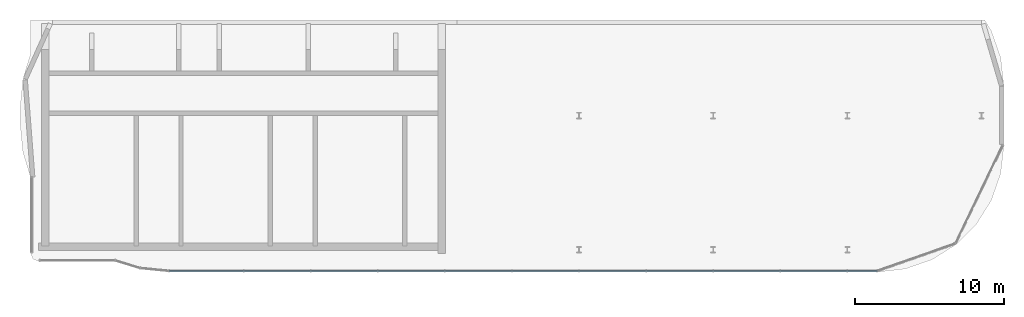
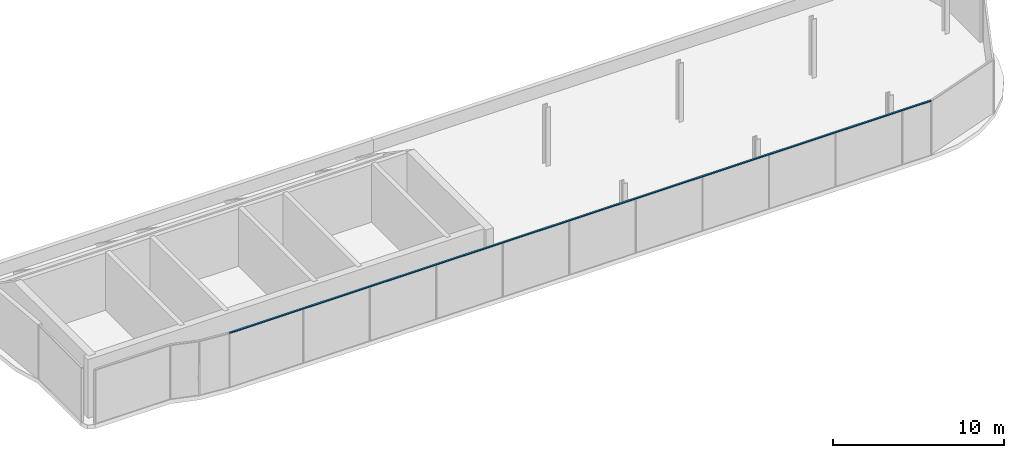
# One storey, part 3 of 5: 1 member, 1 element without a shape of its own.
"""IFC4 building model written with IfcOpenShell, lengths in metres."""

from ifc_helpers import new_model, si_unit, direction, frame, origin, origin_2d, place, context, subcontext, project, spatial, rectangle, extrude, material, material_profile, profile_set, type_object, element, aggregate, save


model = new_model("IFC4")

# Units and contexts
model_context = context("Model", 3, precision=1e-05, world=origin(), true_north=direction((0.0, 1.0)))
body_context = subcontext(model_context, "Body", "Model", "MODEL_VIEW")
ifc_project = project(units=[si_unit("LENGTHUNIT", "METRE"), si_unit("AREAUNIT", "SQUARE_METRE"), si_unit("VOLUMEUNIT", "CUBIC_METRE"), si_unit("PLANEANGLEUNIT", "RADIAN"), si_unit("MASSUNIT", "GRAM", prefix="KILO")], contexts=[model_context])

# Site, building, storey
site_placement = place(None, origin())
site = spatial("IfcSite", under=ifc_project, at=site_placement, CompositionType="ELEMENT")
building_placement = place(site_placement, origin())
building = spatial("IfcBuilding", under=site, at=building_placement, Name="Ogive Portal Towers", CompositionType="ELEMENT")
storey_placement = place(building_placement, frame((0.0, 0.0, 285.5)))
storey = spatial("IfcBuildingStorey", under=building, at=storey_placement, Name="L69", CompositionType="ELEMENT", Elevation=285.5)

# Curtain wall, member
ifc_material_1 = material(Name="Glass, clear low-iron insulated glazing", Category="glass")
curtain_wall_type = type_object("IfcCurtainWallType", Name="CW CROWN GLAZING", PredefinedType="NOTDEFINED", material=ifc_material_1)
curtain_wall_placement = place(storey_placement, origin())
curtain_wall = element("IfcCurtainWall", 1, at=curtain_wall_placement, inside=storey, type_object=curtain_wall_type, Name="A:L69:c10:cw", PredefinedType="NOTDEFINED")
ifc_material_2 = material(Name="Aluminium 6063 anodised", Category="aluminium")
ifc_material_profile = material_profile(ifc_material_2, rectangle(XDim=0.1201171875, YDim=0.06005859375, at=origin_2d()), Name="AL 120x60")
ifc_profile_set = profile_set([ifc_material_profile], Name="Aluminium 6063 anodised")
member_type = type_object("IfcMemberType", Name="CW TRANSOM 60x120", PredefinedType="USERDEFINED", material=ifc_profile_set)
member_placement = place(storey_placement, frame((40.00390625, 20.080078125, 3.8701171875), z_axis=(1.0, 0.0, 0.0), x_axis=(0.0, 1.0, 0.0)))
member = element("IfcMember", 2, at=member_placement, type_object=member_type, Name="transom", ObjectType="TRANSOM", PredefinedType="USERDEFINED", context=body_context, shape_type="SweptSolid", body=[
    extrude(rectangle(XDim=0.1201171875, YDim=0.06005859375, at=origin_2d()), origin(), (0.0, 0.0, 1.0), 47.482421875),
])
aggregate(curtain_wall, [member])

save(model, "model.ifc")
